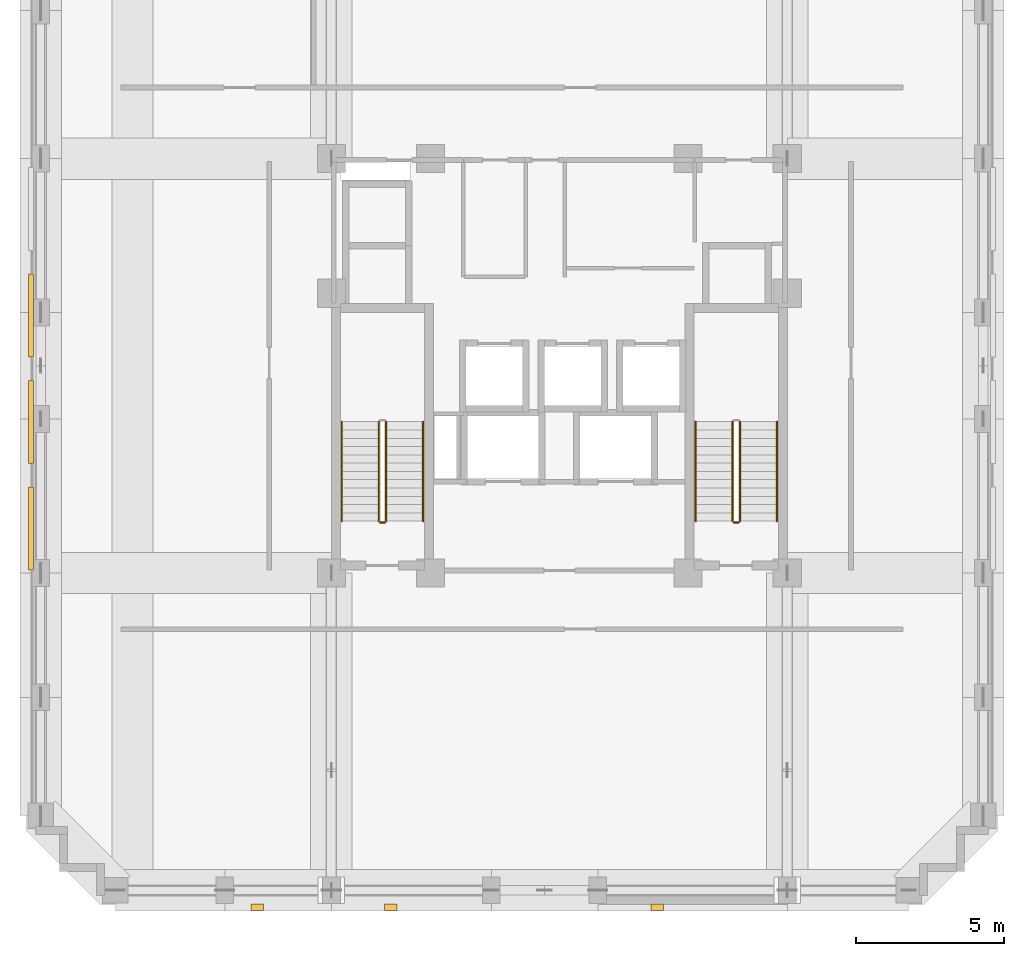
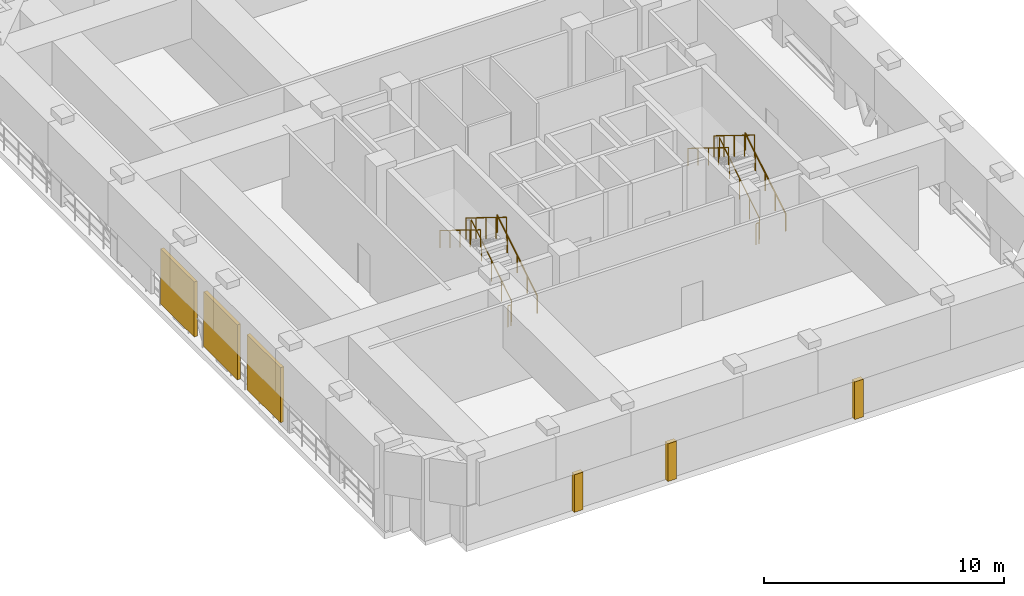
# One storey, part 9 of 12: 10 railings, 3 coverings, 3 shading devices.
"""IFC4 building model written with IfcOpenShell, lengths in metres."""

from ifc_helpers import new_model, si_unit, derived_unit, direction, frame, origin, origin_2d, place, context, subcontext, project, spatial, rectangle, circle, extrude, material, layer, layer_set, type_object, element, save


model = new_model("IFC4")

# Units and contexts
model_context = context("Model", 3, precision=1e-05, world=origin(), true_north=direction((0.0, 1.0)))
body_context = subcontext(model_context, "Body", "Model", "MODEL_VIEW")
ifc_project = project(units=[si_unit("LENGTHUNIT", "METRE"), si_unit("AREAUNIT", "SQUARE_METRE"), si_unit("VOLUMEUNIT", "CUBIC_METRE"), si_unit("PLANEANGLEUNIT", "RADIAN"), si_unit("MASSUNIT", "GRAM", prefix="KILO"), derived_unit("THERMALTRANSMITTANCEUNIT", [(si_unit("MASSUNIT", "GRAM", prefix="KILO"), 1), (si_unit("TIMEUNIT", "SECOND"), -3), (si_unit("THERMODYNAMICTEMPERATUREUNIT", "KELVIN"), -1)])], contexts=[model_context])

# Site, building, storey
site_placement = place(None, origin())
site = spatial("IfcSite", under=ifc_project, at=site_placement, CompositionType="ELEMENT")
building_placement = place(site_placement, origin())
building = spatial("IfcBuilding", under=site, at=building_placement, Name="Korrvale Station Residences", CompositionType="ELEMENT")
storey_placement = place(building_placement, frame((0.0, 0.0, 169.89990234375)))
storey = spatial("IfcBuildingStorey", under=building, at=storey_placement, Name="L49", CompositionType="ELEMENT", Elevation=169.89990234375)

# Coverings
ifc_material_1 = material(Name="Architectural precast concrete C45/55", Category="concrete")
ifc_layer = layer(ifc_material_1, 0.219970703125, Name="Architectural precast concrete C45/55")
ifc_layer_set = layer_set([ifc_layer], Name="Architectural precast concrete C45/55")
covering_type = type_object("IfcCoveringType", Name="COV-PIER-400", PredefinedType="CLADDING", material=ifc_layer_set)
for number, where, z_axis, x_axis, name in (
    (1, (28.800048828125, 3.7099609375, 0.025146484375), (0.0, 0.0, 1.0), (1.0, 0.0, 0.0), "L49 Architectural Precast Facade Pier 01"),
    (2, (19.800048828125, 3.7099609375, 0.025146484375), (0.0, 0.0, 1.0), (1.0, 0.0, 0.0), "L49 Architectural Precast Facade Pier 02"),
    (3, (15.300048828125, 3.7099609375, 0.025146484375), (0.0, 0.0, 1.0), (1.0, 0.0, 0.0), "L49 Architectural Precast Facade Pier 03"),
):
    element("IfcCovering", number, at=place(storey_placement, frame(where, z_axis=z_axis, x_axis=x_axis)), inside=storey, type_object=covering_type, Name=name, PredefinedType="CLADDING", context=body_context, shape_type="SweptSolid", body=[
        extrude(rectangle(XDim=0.419921875, YDim=0.219970703125, at=origin_2d()), origin(), (0.0, 0.0, 1.0), 1.9150390625),
    ])

# Railings
ifc_material_2 = material(Name="Brushed stainless-steel continuous stair handrail", Category="steel")
railing_type_1 = type_object("IfcRailingType", Name="RLG-SHND-900", PredefinedType="HANDRAIL", material=ifc_material_2)
railing_1_placement = place(storey_placement, frame((20.89990234375, 16.75, 0.173095703125)))
element("IfcRailing", 4, at=railing_1_placement, inside=storey, type_object=railing_type_1, Name="L49 ST-1 stair handrail 1", PredefinedType="HANDRAIL", context=body_context, shape_type="SweptSolid", body=[
    extrude(circle(Radius=0.02392578125, at=origin_2d()), frame((0.0, 0.0, 0.8759765625), z_axis=(0.0, 0.850623216509, 0.525775754039), x_axis=(-1.0, 0.0, 0.0)), (0.0, 0.0, 1.0), 3.9501953125),
    extrude(circle(Radius=0.02099609375, at=origin_2d()), origin(), (0.0, 0.0, 1.0), 0.851806640625),
    extrude(circle(Radius=0.02099609375, at=origin_2d()), frame((0.0, 0.840087890625, 0.519287109375)), (0.0, 0.0, 1.0), 0.851806640625),
    extrude(circle(Radius=0.02099609375, at=origin_2d()), frame((0.0, 1.68017578125, 1.03857421875)), (0.0, 0.0, 1.0), 0.851806640625),
    extrude(circle(Radius=0.02099609375, at=origin_2d()), frame((0.0, 2.52001953125, 1.5576171875)), (0.0, 0.0, 1.0), 0.851806640625),
    extrude(circle(Radius=0.02099609375, at=origin_2d()), frame((0.0, 3.360107421875, 2.076904296875)), (0.0, 0.0, 1.0), 0.851806640625),
])
railing_2_placement = place(storey_placement, frame((18.14990234375, 20.110107421875, 2.423095703125)))
element("IfcRailing", 5, at=railing_2_placement, inside=storey, type_object=railing_type_1, Name="L49 ST-1 stair handrail 2", PredefinedType="HANDRAIL", context=body_context, shape_type="SweptSolid", body=[
    extrude(circle(Radius=0.02392578125, at=origin_2d()), frame((0.0, 0.0, 0.8759765625), z_axis=(0.0, -0.850623216509, 0.525775754039), x_axis=(1.0, 0.0, 0.0)), (0.0, 0.0, 1.0), 3.9501953125),
    extrude(circle(Radius=0.02099609375, at=origin_2d()), origin(), (0.0, 0.0, 1.0), 0.851806640625),
    extrude(circle(Radius=0.02099609375, at=origin_2d()), frame((0.0, -0.840087890625, 0.519287109375)), (0.0, 0.0, 1.0), 0.851806640625),
    extrude(circle(Radius=0.02099609375, at=origin_2d()), frame((0.0, -1.68017578125, 1.03857421875)), (0.0, 0.0, 1.0), 0.851806640625),
    extrude(circle(Radius=0.02099609375, at=origin_2d()), frame((0.0, -2.52001953125, 1.5576171875)), (0.0, 0.0, 1.0), 0.851806640625),
    extrude(circle(Radius=0.02099609375, at=origin_2d()), frame((0.0, -3.360107421875, 2.076904296875)), (0.0, 0.0, 1.0), 0.851806640625),
])
railing_3_placement = place(storey_placement, frame((32.85009765625, 16.75, 0.173095703125)))
element("IfcRailing", 6, at=railing_3_placement, inside=storey, type_object=railing_type_1, Name="L49 ST-2 stair handrail 1", PredefinedType="HANDRAIL", context=body_context, shape_type="SweptSolid", body=[
    extrude(circle(Radius=0.02392578125, at=origin_2d()), frame((0.0, 0.0, 0.8759765625), z_axis=(0.0, 0.850623216509, 0.525775754039), x_axis=(-1.0, 0.0, 0.0)), (0.0, 0.0, 1.0), 3.9501953125),
    extrude(circle(Radius=0.02099609375, at=origin_2d()), origin(), (0.0, 0.0, 1.0), 0.851806640625),
    extrude(circle(Radius=0.02099609375, at=origin_2d()), frame((0.0, 0.840087890625, 0.519287109375)), (0.0, 0.0, 1.0), 0.851806640625),
    extrude(circle(Radius=0.02099609375, at=origin_2d()), frame((0.0, 1.68017578125, 1.03857421875)), (0.0, 0.0, 1.0), 0.851806640625),
    extrude(circle(Radius=0.02099609375, at=origin_2d()), frame((0.0, 2.52001953125, 1.5576171875)), (0.0, 0.0, 1.0), 0.851806640625),
    extrude(circle(Radius=0.02099609375, at=origin_2d()), frame((0.0, 3.360107421875, 2.076904296875)), (0.0, 0.0, 1.0), 0.851806640625),
])
railing_4_placement = place(storey_placement, frame((30.10009765625, 20.110107421875, 2.423095703125)))
element("IfcRailing", 7, at=railing_4_placement, inside=storey, type_object=railing_type_1, Name="L49 ST-2 stair handrail 2", PredefinedType="HANDRAIL", context=body_context, shape_type="SweptSolid", body=[
    extrude(circle(Radius=0.02392578125, at=origin_2d()), frame((0.0, 0.0, 0.8759765625), z_axis=(0.0, -0.850623216509, 0.525775754039), x_axis=(1.0, 0.0, 0.0)), (0.0, 0.0, 1.0), 3.9501953125),
    extrude(circle(Radius=0.02099609375, at=origin_2d()), origin(), (0.0, 0.0, 1.0), 0.851806640625),
    extrude(circle(Radius=0.02099609375, at=origin_2d()), frame((0.0, -0.840087890625, 0.519287109375)), (0.0, 0.0, 1.0), 0.851806640625),
    extrude(circle(Radius=0.02099609375, at=origin_2d()), frame((0.0, -1.68017578125, 1.03857421875)), (0.0, 0.0, 1.0), 0.851806640625),
    extrude(circle(Radius=0.02099609375, at=origin_2d()), frame((0.0, -2.52001953125, 1.5576171875)), (0.0, 0.0, 1.0), 0.851806640625),
    extrude(circle(Radius=0.02099609375, at=origin_2d()), frame((0.0, -3.360107421875, 2.076904296875)), (0.0, 0.0, 1.0), 0.851806640625),
])
ifc_material_3 = material(Name="Galvanised painted tubular steel stair guard", Category="steel")
railing_type_2 = type_object("IfcRailingType", Name="RLG-STR-1100", PredefinedType="GUARDRAIL", material=ifc_material_3)
railing_5_placement = place(storey_placement, frame((19.64990234375, 16.75, 0.173095703125)))
element("IfcRailing", 8, at=railing_5_placement, inside=storey, type_object=railing_type_2, Name="L49 ST-1 stair guard 1", PredefinedType="GUARDRAIL", context=body_context, shape_type="SweptSolid", body=[
    extrude(circle(Radius=0.02392578125, at=origin_2d()), frame((0.0, 0.0, 1.076171875), z_axis=(0.0, 0.850623216509, 0.525775754039), x_axis=(-1.0, 0.0, 0.0)), (0.0, 0.0, 1.0), 3.9501953125),
    extrude(circle(Radius=0.02099609375, at=origin_2d()), origin(), (0.0, 0.0, 1.0), 1.052001953125),
    extrude(circle(Radius=0.02099609375, at=origin_2d()), frame((0.0, 0.840087890625, 0.519287109375)), (0.0, 0.0, 1.0), 1.052001953125),
    extrude(circle(Radius=0.02099609375, at=origin_2d()), frame((0.0, 1.68017578125, 1.03857421875)), (0.0, 0.0, 1.0), 1.052001953125),
    extrude(circle(Radius=0.02099609375, at=origin_2d()), frame((0.0, 2.52001953125, 1.5576171875)), (0.0, 0.0, 1.0), 1.052001953125),
    extrude(circle(Radius=0.02099609375, at=origin_2d()), frame((0.0, 3.360107421875, 2.076904296875)), (0.0, 0.0, 1.0), 1.052001953125),
])
railing_6_placement = place(storey_placement, frame((19.39990234375, 20.110107421875, 2.423095703125)))
element("IfcRailing", 9, at=railing_6_placement, inside=storey, type_object=railing_type_2, Name="L49 ST-1 stair guard 3", PredefinedType="GUARDRAIL", context=body_context, shape_type="SweptSolid", body=[
    extrude(circle(Radius=0.02392578125, at=origin_2d()), frame((0.0, 0.0, 1.076171875), z_axis=(0.0, -0.850623216509, 0.525775754039), x_axis=(1.0, 0.0, 0.0)), (0.0, 0.0, 1.0), 3.9501953125),
    extrude(circle(Radius=0.02099609375, at=origin_2d()), origin(), (0.0, 0.0, 1.0), 1.052001953125),
    extrude(circle(Radius=0.02099609375, at=origin_2d()), frame((0.0, -0.840087890625, 0.519287109375)), (0.0, 0.0, 1.0), 1.052001953125),
    extrude(circle(Radius=0.02099609375, at=origin_2d()), frame((0.0, -1.68017578125, 1.03857421875)), (0.0, 0.0, 1.0), 1.052001953125),
    extrude(circle(Radius=0.02099609375, at=origin_2d()), frame((0.0, -2.52001953125, 1.5576171875)), (0.0, 0.0, 1.0), 1.052001953125),
    extrude(circle(Radius=0.02099609375, at=origin_2d()), frame((0.0, -3.360107421875, 2.076904296875)), (0.0, 0.0, 1.0), 1.052001953125),
])
railing_7_placement = place(storey_placement, frame((19.60009765625, 16.699951171875, 0.0)))
element("IfcRailing", 10, at=railing_7_placement, inside=storey, type_object=railing_type_2, Name="L49 ST-1 stair guard 4", PredefinedType="GUARDRAIL", context=body_context, shape_type="SweptSolid", body=[
    extrude(circle(Radius=0.02392578125, at=origin_2d()), frame((0.0, 0.0, 1.076171875), z_axis=(-1.0, 0.0, 0.0), x_axis=(0.0, -1.0, 0.0)), (0.0, 0.0, 1.0), 0.150146484375),
    extrude(circle(Radius=0.02099609375, at=origin_2d()), origin(), (0.0, 0.0, 1.0), 1.052001953125),
    extrude(circle(Radius=0.02099609375, at=origin_2d()), frame((-0.150146484375, 0.0, 0.0)), (0.0, 0.0, 1.0), 1.052001953125),
])
railing_8_placement = place(storey_placement, frame((31.60009765625, 16.75, 0.173095703125)))
element("IfcRailing", 11, at=railing_8_placement, inside=storey, type_object=railing_type_2, Name="L49 ST-2 stair guard 1", PredefinedType="GUARDRAIL", context=body_context, shape_type="SweptSolid", body=[
    extrude(circle(Radius=0.02392578125, at=origin_2d()), frame((0.0, 0.0, 1.076171875), z_axis=(0.0, 0.850623216509, 0.525775754039), x_axis=(-1.0, 0.0, 0.0)), (0.0, 0.0, 1.0), 3.9501953125),
    extrude(circle(Radius=0.02099609375, at=origin_2d()), origin(), (0.0, 0.0, 1.0), 1.052001953125),
    extrude(circle(Radius=0.02099609375, at=origin_2d()), frame((0.0, 0.840087890625, 0.519287109375)), (0.0, 0.0, 1.0), 1.052001953125),
    extrude(circle(Radius=0.02099609375, at=origin_2d()), frame((0.0, 1.68017578125, 1.03857421875)), (0.0, 0.0, 1.0), 1.052001953125),
    extrude(circle(Radius=0.02099609375, at=origin_2d()), frame((0.0, 2.52001953125, 1.5576171875)), (0.0, 0.0, 1.0), 1.052001953125),
    extrude(circle(Radius=0.02099609375, at=origin_2d()), frame((0.0, 3.360107421875, 2.076904296875)), (0.0, 0.0, 1.0), 1.052001953125),
])
railing_9_placement = place(storey_placement, frame((31.35009765625, 20.110107421875, 2.423095703125)))
element("IfcRailing", 12, at=railing_9_placement, inside=storey, type_object=railing_type_2, Name="L49 ST-2 stair guard 3", PredefinedType="GUARDRAIL", context=body_context, shape_type="SweptSolid", body=[
    extrude(circle(Radius=0.02392578125, at=origin_2d()), frame((0.0, 0.0, 1.076171875), z_axis=(0.0, -0.850623216509, 0.525775754039), x_axis=(1.0, 0.0, 0.0)), (0.0, 0.0, 1.0), 3.9501953125),
    extrude(circle(Radius=0.02099609375, at=origin_2d()), origin(), (0.0, 0.0, 1.0), 1.052001953125),
    extrude(circle(Radius=0.02099609375, at=origin_2d()), frame((0.0, -0.840087890625, 0.519287109375)), (0.0, 0.0, 1.0), 1.052001953125),
    extrude(circle(Radius=0.02099609375, at=origin_2d()), frame((0.0, -1.68017578125, 1.03857421875)), (0.0, 0.0, 1.0), 1.052001953125),
    extrude(circle(Radius=0.02099609375, at=origin_2d()), frame((0.0, -2.52001953125, 1.5576171875)), (0.0, 0.0, 1.0), 1.052001953125),
    extrude(circle(Radius=0.02099609375, at=origin_2d()), frame((0.0, -3.360107421875, 2.076904296875)), (0.0, 0.0, 1.0), 1.052001953125),
])
railing_10_placement = place(storey_placement, frame((31.550048828125, 16.699951171875, 0.0)))
element("IfcRailing", 13, at=railing_10_placement, inside=storey, type_object=railing_type_2, Name="L49 ST-2 stair guard 4", PredefinedType="GUARDRAIL", context=body_context, shape_type="SweptSolid", body=[
    extrude(circle(Radius=0.02392578125, at=origin_2d()), frame((0.0, 0.0, 1.076171875), z_axis=(-1.0, 0.0, 0.0), x_axis=(0.0, -1.0, 0.0)), (0.0, 0.0, 1.0), 0.150146484375),
    extrude(circle(Radius=0.02099609375, at=origin_2d()), origin(), (0.0, 0.0, 1.0), 1.052001953125),
    extrude(circle(Radius=0.02099609375, at=origin_2d()), frame((-0.150146484375, 0.0, 0.0)), (0.0, 0.0, 1.0), 1.052001953125),
])

# Shading devices
ifc_material_4 = material(Name="Powder-coated aluminium acoustic louvre", Category="aluminium")
shading_device_type = type_object("IfcShadingDeviceType", Name="SHD-LVR-REF", PredefinedType="USERDEFINED", material=ifc_material_4)
for number, where, z_axis, x_axis, name in (
    (14, (7.64990234375, 16.5, 0.25), (0.0, 0.0, 1.0), (1.0, 0.0, 0.0), "L49 Open Refuge Band Acoustic Storm Louvre West 1"),
    (15, (7.64990234375, 20.10009765625, 0.25), (0.0, 0.0, 1.0), (1.0, 0.0, 0.0), "L49 Open Refuge Band Acoustic Storm Louvre West 2"),
    (16, (7.64990234375, 23.699951171875, 0.25), (0.0, 0.0, 1.0), (1.0, 0.0, 0.0), "L49 Open Refuge Band Acoustic Storm Louvre West 3"),
):
    element("IfcShadingDevice", number, at=place(storey_placement, frame(where, z_axis=z_axis, x_axis=x_axis)), inside=storey, type_object=shading_device_type, Name=name, ObjectType="LOUVRE", PredefinedType="USERDEFINED", context=body_context, shape_type="SweptSolid", body=[
        extrude(rectangle(XDim=0.159912109375, YDim=2.800048828125, at=origin_2d()), origin(), (0.0, 0.0, 1.0), 2.800048828125),
    ])

save(model, "model.ifc")
